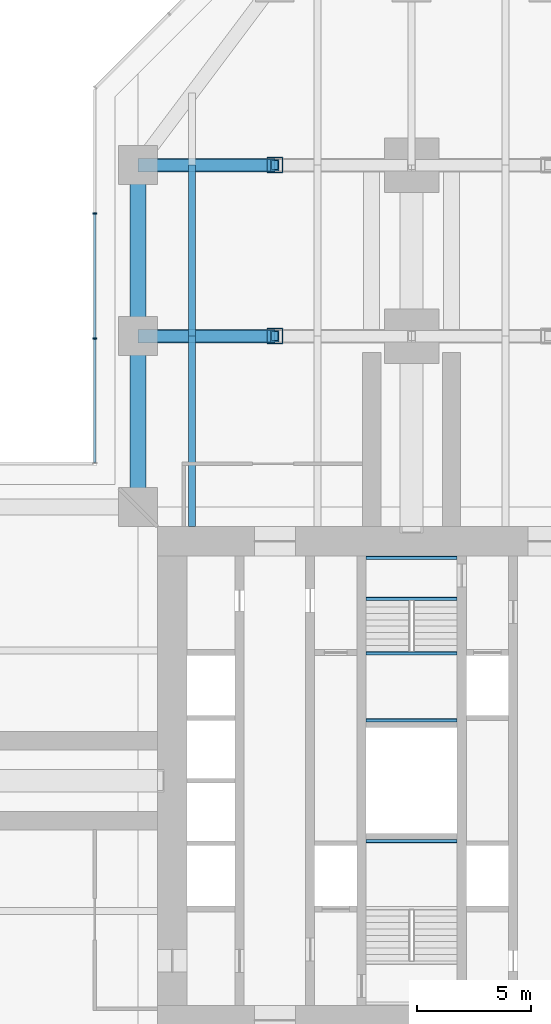
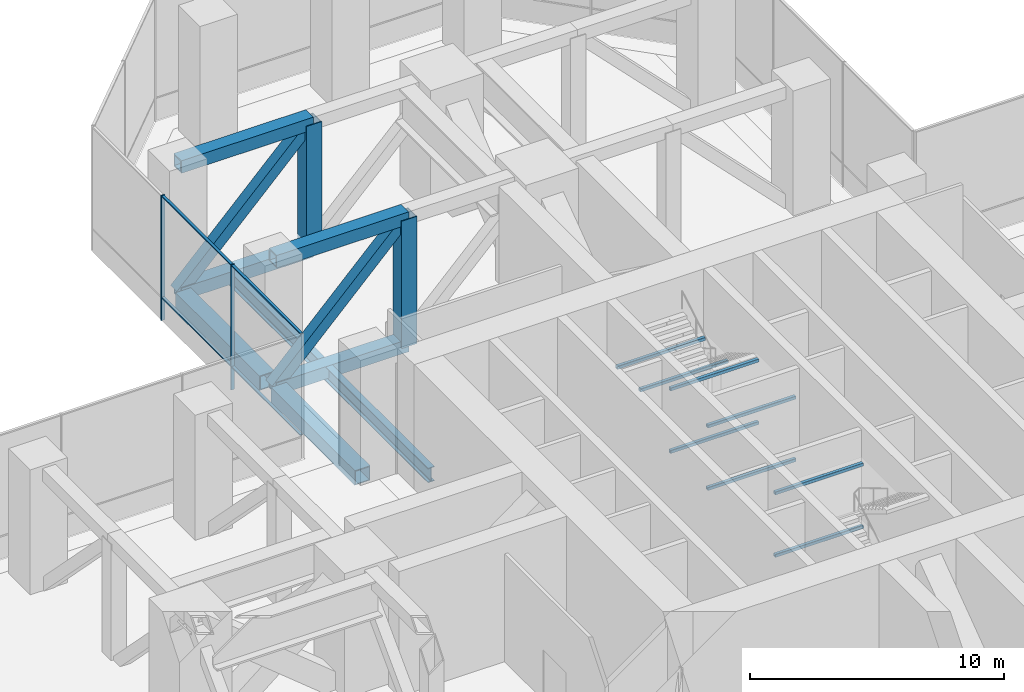
# One storey, part 7 of 19: 14 members, 12 beams, 1 element without a shape of its own.
"""IFC4 building model written with IfcOpenShell, lengths in metres."""

from ifc_helpers import new_model, si_unit, direction, frame, origin, origin_2d, place, context, subcontext, project, spatial, rectangle, hollow_rectangle, i_section, extrude, material, material_profile, profile_set, type_object, element, aggregate, save


model = new_model("IFC4")

# Units and contexts
model_context = context("Model", 3, precision=1e-05, world=origin(), true_north=direction((0.0, 1.0)))
body_context = subcontext(model_context, "Body", "Model", "MODEL_VIEW")
ifc_project = project(units=[si_unit("LENGTHUNIT", "METRE"), si_unit("AREAUNIT", "SQUARE_METRE"), si_unit("VOLUMEUNIT", "CUBIC_METRE"), si_unit("PLANEANGLEUNIT", "RADIAN"), si_unit("MASSUNIT", "GRAM", prefix="KILO")], contexts=[model_context])

# Site, building, storey
site_placement = place(None, origin())
site = spatial("IfcSite", under=ifc_project, at=site_placement, CompositionType="ELEMENT")
building_placement = place(site_placement, origin())
building = spatial("IfcBuilding", under=site, at=building_placement, Name="Mizan Broadcast Tower", CompositionType="ELEMENT")
storey_placement = place(building_placement, frame((0.0, 0.0, 37.5)))
storey = spatial("IfcBuildingStorey", under=building, at=storey_placement, Name="L06", CompositionType="ELEMENT", Elevation=37.5)

# Members
ifc_material_1 = material(Name="Steel S460", Category="steel")
ifc_material_profile_1 = material_profile(ifc_material_1, hollow_rectangle(XDim=0.60009765625, YDim=0.60009765625, WallThickness=0.06005859375, at=origin_2d()), Name="BOX 600x600x60")
ifc_profile_set_1 = profile_set([ifc_material_profile_1], Name="Steel S460")
member_type_1 = type_object("IfcMemberType", Name="BELT TRUSS BT1 CHORD BOX 600x600x60", PredefinedType="CHORD", material=ifc_profile_set_1)
for number, where, z_axis, x_axis, name in (
    (1, (-6.0, 19.5, -0.550048828125), (-1.0, 0.0, 0.0), (0.0, -1.0, 0.0), "Belt truss BT1-N19 bottom chord 4"),
    (2, (-6.0, 19.5, 5.570068359375), (-1.0, 0.0, 0.0), (0.0, -1.0, 0.0), "Belt truss BT1-N19 top chord 4"),
    (3, (-6.0, 27.0, -0.550048828125), (-1.0, 0.0, 0.0), (0.0, -1.0, 0.0), "Belt truss BT1-N27 bottom chord 4"),
    (4, (-6.0, 27.0, 5.570068359375), (-1.0, 0.0, 0.0), (0.0, -1.0, 0.0), "Belt truss BT1-N27 top chord 4"),
):
    element("IfcMember", number, at=place(storey_placement, frame(where, z_axis=z_axis, x_axis=x_axis)), inside=storey, type_object=member_type_1, Name=name, PredefinedType="CHORD", context=body_context, shape_type="SweptSolid", body=[
        extrude(hollow_rectangle(XDim=0.60009765625, YDim=0.60009765625, WallThickness=0.06005859375, at=origin_2d()), origin(), (0.0, 0.0, 1.0), 6.0),
    ])
ifc_material_2 = material(Name="Steel S460", Category="steel")
ifc_material_profile_2 = material_profile(ifc_material_2, hollow_rectangle(XDim=0.5, YDim=0.5, WallThickness=0.050048828125, at=origin_2d()), Name="BOX 500x500x50")
ifc_profile_set_2 = profile_set([ifc_material_profile_2], Name="Steel S460")
member_type_2 = type_object("IfcMemberType", Name="BELT TRUSS BT1 DIAGONAL BOX 500x500x50", PredefinedType="BRACE", material=ifc_profile_set_2)
for number, where, z_axis, x_axis, name in (
    (5, (-12.0, 19.5, -0.550048828125), (0.700064575666, 0.0, 0.714079540316), (0.0, 1.0, 0.0), "Belt truss BT1-N19 diagonal 4"),
    (6, (-12.0, 27.0, -0.550048828125), (0.700064575666, 0.0, 0.714079540316), (0.0, 1.0, 0.0), "Belt truss BT1-N27 diagonal 4"),
):
    element("IfcMember", number, at=place(storey_placement, frame(where, z_axis=z_axis, x_axis=x_axis)), inside=storey, type_object=member_type_2, Name=name, PredefinedType="BRACE", context=body_context, shape_type="SweptSolid", body=[
        extrude(hollow_rectangle(XDim=0.5, YDim=0.5, WallThickness=0.050048828125, at=origin_2d()), origin(), (0.0, 0.0, 1.0), 8.570556640625),
    ])
ifc_material_3 = material(Name="Steel S460", Category="steel")
ifc_material_profile_3 = material_profile(ifc_material_3, hollow_rectangle(XDim=0.699951171875, YDim=0.699951171875, WallThickness=0.0400390625, at=origin_2d()), Name="BOX 700x700x40")
ifc_profile_set_3 = profile_set([ifc_material_profile_3], Name="Steel S460")
member_type_3 = type_object("IfcMemberType", Name="BELT TRUSS BT1 POST BOX 700x700x40", PredefinedType="POST", material=ifc_profile_set_3)
for number, where, z_axis, x_axis, name in (
    (7, (-6.0, 19.5, -0.550048828125), (0.0, 0.0, 1.0), (1.0, 0.0, 0.0), "Belt truss BT1-N19 post 3"),
    (8, (-6.0, 27.0, -0.550048828125), (0.0, 0.0, 1.0), (1.0, 0.0, 0.0), "Belt truss BT1-N27 post 3"),
):
    element("IfcMember", number, at=place(storey_placement, frame(where, z_axis=z_axis, x_axis=x_axis)), inside=storey, type_object=member_type_3, Name=name, PredefinedType="POST", context=body_context, shape_type="SweptSolid", body=[
        extrude(hollow_rectangle(XDim=0.699951171875, YDim=0.699951171875, WallThickness=0.0400390625, at=origin_2d()), origin(), (0.0, 0.0, 1.0), 6.1201171875),
    ])

# Beams
ifc_material_4 = material(Name="Steel S355", Category="steel")
ifc_material_profile_4 = material_profile(ifc_material_4, hollow_rectangle(XDim=0.699951171875, YDim=0.699951171875, WallThickness=0.0400390625, at=origin_2d()), Name="BOX 700x700x40")
ifc_profile_set_4 = profile_set([ifc_material_profile_4], Name="Steel S355")
beam_type_1 = type_object("IfcBeamType", Name="EDGE BEAM BOX 700x700x40", PredefinedType="SPANDREL", material=ifc_profile_set_4)
for number, where, z_axis, x_axis, name in (
    (9, (-12.0, 12.449951171875, -0.60009765625), (0.0, 1.0, 0.0), (-1.0, 0.0, 0.0), "Edge beam BOX 700x700x40 L06 north arm"),
    (10, (-12.0, 19.949951171875, -0.60009765625), (0.0, 1.0, 0.0), (-1.0, 0.0, 0.0), "Edge beam BOX 700x700x40 L06 north arm"),
):
    element("IfcBeam", number, at=place(storey_placement, frame(where, z_axis=z_axis, x_axis=x_axis)), inside=storey, type_object=beam_type_1, Name=name, PredefinedType="SPANDREL", context=body_context, shape_type="SweptSolid", body=[
        extrude(hollow_rectangle(XDim=0.699951171875, YDim=0.699951171875, WallThickness=0.0400390625, at=origin_2d()), origin(), (0.0, 0.0, 1.0), 6.60009765625),
    ])

# Curtain wall, members
ifc_material_5 = material(Name="Aluminium framed glazing", Category="aluminium")
curtain_wall_type = type_object("IfcCurtainWallType", Name="PLANT LOUVRE", PredefinedType="USERDEFINED", material=ifc_material_5)
curtain_wall_placement = place(storey_placement, origin())
curtain_wall = element("IfcCurtainWall", 11, at=curtain_wall_placement, inside=storey, type_object=curtain_wall_type, Name="Plant louvre L06 N side", ObjectType="PLANT LOUVRE", PredefinedType="USERDEFINED")
ifc_material_6 = material(Name="Aluminium, pale anodised", Category="aluminium")
ifc_material_profile_5 = material_profile(ifc_material_6, rectangle(XDim=0.159912109375, YDim=0.06005859375, at=origin_2d()), Name="MULLION 160x60")
ifc_profile_set_5 = profile_set([ifc_material_profile_5], Name="Aluminium, pale anodised")
member_type_4 = type_object("IfcMemberType", Name="INNER SKIN MULLION 60x160", PredefinedType="MULLION", material=ifc_profile_set_5)
member_1_placement = place(storey_placement, frame((-13.89990234375, 24.8818359375, 0.0), z_axis=(0.0, 0.0, 1.0), x_axis=(1.0, 0.0, 0.0)))
member_1 = element("IfcMember", 12, at=member_1_placement, type_object=member_type_4, Name="Plant louvre L06 N side mullion 2", PredefinedType="MULLION", context=body_context, shape_type="SweptSolid", body=[
    extrude(rectangle(XDim=0.159912109375, YDim=0.06005859375, at=origin_2d()), origin(), (0.0, 0.0, 1.0), 6.0),
])
member_2_placement = place(storey_placement, frame((-13.89990234375, 19.390869140625, 0.0), z_axis=(0.0, 0.0, 1.0), x_axis=(1.0, 0.0, 0.0)))
member_2 = element("IfcMember", 13, at=member_2_placement, type_object=member_type_4, Name="Plant louvre L06 N side mullion 3", PredefinedType="MULLION", context=body_context, shape_type="SweptSolid", body=[
    extrude(rectangle(XDim=0.159912109375, YDim=0.06005859375, at=origin_2d()), origin(), (0.0, 0.0, 1.0), 6.0),
])
ifc_material_7 = material(Name="Aluminium, pale anodised", Category="aluminium")
ifc_material_profile_6 = material_profile(ifc_material_7, rectangle(XDim=0.1201171875, YDim=0.06005859375, at=origin_2d()), Name="TRANSOM 120x60")
ifc_profile_set_6 = profile_set([ifc_material_profile_6], Name="Aluminium, pale anodised")
member_type_5 = type_object("IfcMemberType", Name="INNER SKIN TRANSOM 60x120", PredefinedType="USERDEFINED", material=ifc_profile_set_6)
member_3_placement = place(storey_placement, frame((-13.89990234375, 24.851806640625, 1.10009765625), z_axis=(0.0, -1.0, 0.0), x_axis=(1.0, 0.0, 0.0)))
member_3 = element("IfcMember", 14, at=member_3_placement, type_object=member_type_5, Name="Plant louvre L06 N side transom 2.1", ObjectType="TRANSOM", PredefinedType="USERDEFINED", context=body_context, shape_type="SweptSolid", body=[
    extrude(rectangle(XDim=0.1201171875, YDim=0.06005859375, at=origin_2d()), origin(), (0.0, 0.0, 1.0), 5.430908203125),
])
member_4_placement = place(storey_placement, frame((-13.89990234375, 24.851806640625, 5.969970703125), z_axis=(0.0, -1.0, 0.0), x_axis=(1.0, 0.0, 0.0)))
member_4 = element("IfcMember", 15, at=member_4_placement, type_object=member_type_5, Name="Plant louvre L06 N side transom 2.2", ObjectType="TRANSOM", PredefinedType="USERDEFINED", context=body_context, shape_type="SweptSolid", body=[
    extrude(rectangle(XDim=0.1201171875, YDim=0.06005859375, at=origin_2d()), origin(), (0.0, 0.0, 1.0), 5.430908203125),
])
member_5_placement = place(storey_placement, frame((-13.89990234375, 19.36083984375, 1.10009765625), z_axis=(0.0, -1.0, 0.0), x_axis=(1.0, 0.0, 0.0)))
member_5 = element("IfcMember", 16, at=member_5_placement, type_object=member_type_5, Name="Plant louvre L06 N side transom 3.1", ObjectType="TRANSOM", PredefinedType="USERDEFINED", context=body_context, shape_type="SweptSolid", body=[
    extrude(rectangle(XDim=0.1201171875, YDim=0.06005859375, at=origin_2d()), origin(), (0.0, 0.0, 1.0), 5.40087890625),
])
member_6_placement = place(storey_placement, frame((-13.89990234375, 19.36083984375, 5.969970703125), z_axis=(0.0, -1.0, 0.0), x_axis=(1.0, 0.0, 0.0)))
member_6 = element("IfcMember", 17, at=member_6_placement, type_object=member_type_5, Name="Plant louvre L06 N side transom 3.2", ObjectType="TRANSOM", PredefinedType="USERDEFINED", context=body_context, shape_type="SweptSolid", body=[
    extrude(rectangle(XDim=0.1201171875, YDim=0.06005859375, at=origin_2d()), origin(), (0.0, 0.0, 1.0), 5.40087890625),
])
aggregate(curtain_wall, [member_1, member_2, member_3, member_4, member_5, member_6])

# Beams
ifc_material_8 = material(Name="Steel S355", Category="steel")
ifc_material_profile_7 = material_profile(ifc_material_8, hollow_rectangle(XDim=0.14990234375, YDim=0.14990234375, WallThickness=0.008056640625, InnerFilletRadius=0.008056640625, OuterFilletRadius=0.011962890625, at=origin_2d()), Name="SHS 150x150x8")
ifc_profile_set_7 = profile_set([ifc_material_profile_7], Name="Steel S355")
beam_type_2 = type_object("IfcBeamType", Name="LANDING TRIMMER SHS 150x150x8", PredefinedType="BEAM", material=ifc_profile_set_7)
for number, where, z_axis, x_axis, name in (
    (18, (-2.0, -2.64990234375, 1.22509765625), (1.0, 0.0, 0.0), (0.0, 1.0, 0.0), "Stair A landing trimmer L06"),
    (19, (-2.0, -2.64990234375, 4.22509765625), (1.0, 0.0, 0.0), (0.0, 1.0, 0.0), "Stair A landing trimmer L06"),
    (20, (2.0, 5.5849609375, 1.22509765625), (-1.0, 0.0, 0.0), (0.0, -1.0, 0.0), "Stair B landing trimmer L06"),
    (21, (2.0, 2.64990234375, 1.22509765625), (-1.0, 0.0, 0.0), (0.0, -1.0, 0.0), "Stair B landing trimmer L06"),
    (22, (2.0, 9.77490234375, 2.72509765625), (-1.0, 0.0, 0.0), (0.0, -1.0, 0.0), "Stair B landing trimmer L06"),
    (23, (2.0, 7.97509765625, 2.72509765625), (-1.0, 0.0, 0.0), (0.0, -1.0, 0.0), "Stair B landing trimmer L06"),
    (24, (2.0, 5.5849609375, 4.22509765625), (-1.0, 0.0, 0.0), (0.0, -1.0, 0.0), "Stair B landing trimmer L06"),
    (25, (2.0, 2.64990234375, 4.22509765625), (-1.0, 0.0, 0.0), (0.0, -1.0, 0.0), "Stair B landing trimmer L06"),
):
    element("IfcBeam", number, at=place(storey_placement, frame(where, z_axis=z_axis, x_axis=x_axis)), inside=storey, type_object=beam_type_2, Name=name, PredefinedType="BEAM", context=body_context, shape_type="SweptSolid", body=[
        extrude(hollow_rectangle(XDim=0.14990234375, YDim=0.14990234375, WallThickness=0.008056640625, InnerFilletRadius=0.008056640625, OuterFilletRadius=0.011962890625, at=origin_2d()), origin(), (0.0, 0.0, 1.0), 4.0),
    ])
ifc_material_9 = material(Name="Steel S355", Category="steel")
ifc_material_profile_8 = material_profile(ifc_material_9, i_section(OverallWidth=0.300048828125, OverallDepth=0.699951171875, WebThickness=0.01708984375, FlangeThickness=0.031982421875, FilletRadius=0.027099609375, at=origin_2d()), Name="HEB 700")
ifc_profile_set_8 = profile_set([ifc_material_profile_8], Name="Steel S355")
beam_type_3 = type_object("IfcBeamType", Name="SECONDARY BEAM HEB 700", PredefinedType="JOIST", material=ifc_profile_set_8)
beam_1_placement = place(storey_placement, frame((-9.625, 11.14990234375, -0.60009765625), z_axis=(0.0, 1.0, 0.0), x_axis=(-1.0, 0.0, 0.0)))
element("IfcBeam", 26, at=beam_1_placement, inside=storey, type_object=beam_type_3, Name="Secondary beam HEB 700 L06 north arm", PredefinedType="JOIST", context=body_context, shape_type="SweptSolid", body=[
    extrude(i_section(OverallWidth=0.300048828125, OverallDepth=0.699951171875, WebThickness=0.01708984375, FlangeThickness=0.031982421875, FilletRadius=0.027099609375, at=origin_2d()), origin(), (0.0, 0.0, 1.0), 8.35009765625),
])
beam_2_placement = place(storey_placement, frame((-9.625, 19.5, -0.60009765625), z_axis=(0.0, 1.0, 0.0), x_axis=(-1.0, 0.0, 0.0)))
element("IfcBeam", 27, at=beam_2_placement, inside=storey, type_object=beam_type_3, Name="Secondary beam HEB 700 L06 north arm", PredefinedType="JOIST", context=body_context, shape_type="SweptSolid", body=[
    extrude(i_section(OverallWidth=0.300048828125, OverallDepth=0.699951171875, WebThickness=0.01708984375, FlangeThickness=0.031982421875, FilletRadius=0.027099609375, at=origin_2d()), origin(), (0.0, 0.0, 1.0), 7.5),
])

save(model, "model.ifc")
